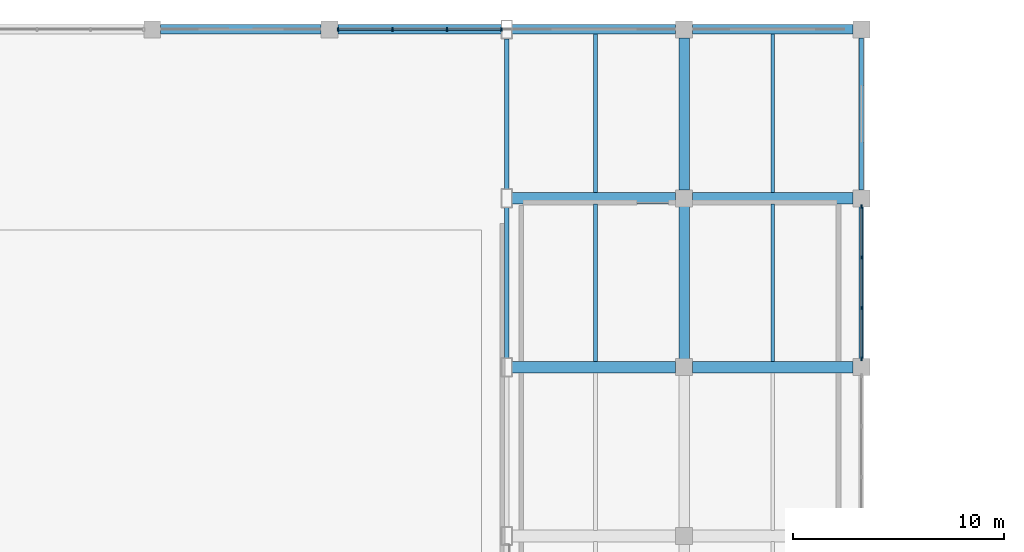
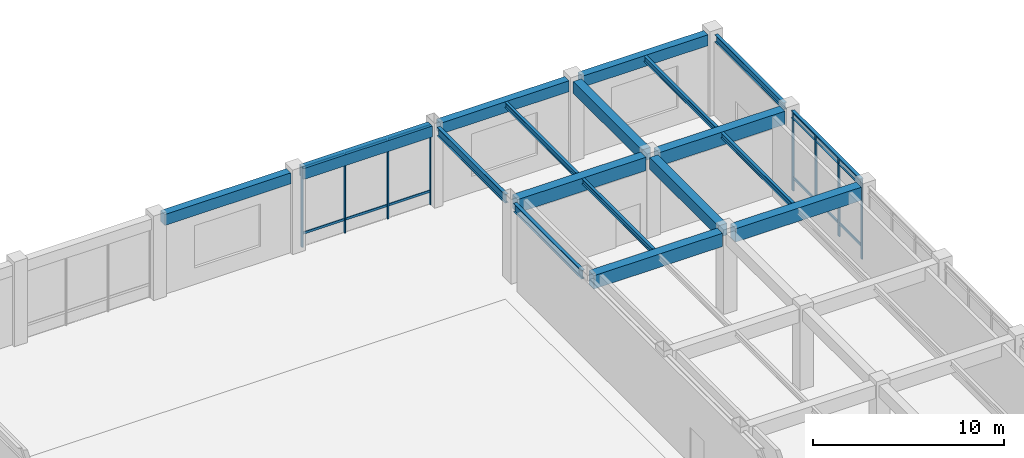
# One storey, part 42 of 79: 20 members, 18 beams, 2 elements without a shape of their own.
"""IFC4 building model written with IfcOpenShell, lengths in metres."""

from ifc_helpers import new_model, si_unit, direction, frame, origin, origin_2d, place, context, subcontext, project, spatial, rectangle, i_section, extrude, material, layer, layer_set, material_profile, profile_set, type_object, element, aggregate, save


model = new_model("IFC4")

# Units and contexts
model_context = context("Model", 3, precision=1e-05, world=origin(), true_north=direction((0.0, 1.0)))
body_context = subcontext(model_context, "Body", "Model", "MODEL_VIEW")
ifc_project = project(units=[si_unit("LENGTHUNIT", "METRE"), si_unit("AREAUNIT", "SQUARE_METRE"), si_unit("VOLUMEUNIT", "CUBIC_METRE"), si_unit("PLANEANGLEUNIT", "RADIAN"), si_unit("MASSUNIT", "GRAM", prefix="KILO")], contexts=[model_context])

# Site, building, storey
site_placement = place(None, origin())
site = spatial("IfcSite", under=ifc_project, at=site_placement, CompositionType="ELEMENT")
building_placement = place(site_placement, origin())
building = spatial("IfcBuilding", under=site, at=building_placement, Name="Naruveol Harbour Congress Hotel", CompositionType="ELEMENT")
storey_placement = place(building_placement, frame((0.0, 0.0, 6.0)))
storey = spatial("IfcBuildingStorey", under=building, at=storey_placement, Name="L01", CompositionType="ELEMENT", Elevation=6.0)

# Beams
ifc_material_1 = material(Name="Concrete C40/50", Category="concrete")
ifc_material_profile_1 = material_profile(ifc_material_1, rectangle(XDim=0.5, YDim=0.75, at=origin_2d()), Name="RCB-500x750")
ifc_profile_set_1 = profile_set([ifc_material_profile_1], Name="Concrete C40/50")
beam_type_1 = type_object("IfcBeamType", Name="RC FLOOR GIRDER 500X750", PredefinedType="BEAM", material=ifc_profile_set_1)
for number, where, z_axis, x_axis, name in (
    (1, (117.60009765625, 96.39599609375, 4.7451171875), (0.0, 1.0, 0.0), (-1.0, 0.0, 0.0), "Transverse girder L02 CB3"),
    (2, (117.60009765625, 104.39599609375, 4.7451171875), (0.0, 1.0, 0.0), (-1.0, 0.0, 0.0), "Transverse girder L02 CB3"),
):
    element("IfcBeam", number, at=place(storey_placement, frame(where, z_axis=z_axis, x_axis=x_axis)), inside=storey, type_object=beam_type_1, Name=name, PredefinedType="BEAM", context=body_context, shape_type="SweptSolid", body=[
        extrude(rectangle(XDim=0.5, YDim=0.75, at=origin_2d()), origin(), (0.0, 0.0, 1.0), 7.2080078125),
    ])
ifc_material_2 = material(Name="Concrete C40/50", Category="concrete")
ifc_material_profile_2 = material_profile(ifc_material_2, rectangle(XDim=0.550048828125, YDim=0.85009765625, at=origin_2d()), Name="RCB-550x850")
ifc_profile_set_2 = profile_set([ifc_material_profile_2], Name="Concrete C40/50")
beam_type_2 = type_object("IfcBeamType", Name="RC PRIMARY GIRDER 550X850", PredefinedType="BEAM", material=ifc_profile_set_2)
beam_1_placement = place(storey_placement, frame((109.446044921875, 96.0, 4.695068359375), z_axis=(1.0, 0.0, 0.0), x_axis=(0.0, 1.0, 0.0)))
element("IfcBeam", 3, at=beam_1_placement, inside=storey, type_object=beam_type_2, Name="Floor girder L02 CB2", PredefinedType="BEAM", context=body_context, shape_type="SweptSolid", body=[
    extrude(rectangle(XDim=0.550048828125, YDim=0.85009765625, at=origin_2d()), origin(), (0.0, 0.0, 1.0), 7.758056640625),
])
beam_2_placement = place(storey_placement, frame((117.99609375, 96.0, 4.695068359375), z_axis=(1.0, 0.0, 0.0), x_axis=(0.0, 1.0, 0.0)))
element("IfcBeam", 4, at=beam_2_placement, inside=storey, type_object=beam_type_2, Name="Floor girder L02 CB2", PredefinedType="BEAM", context=body_context, shape_type="SweptSolid", body=[
    extrude(rectangle(XDim=0.550048828125, YDim=0.85009765625, at=origin_2d()), origin(), (0.0, 0.0, 1.0), 7.60791015625),
])
beam_3_placement = place(storey_placement, frame((109.446044921875, 104.0, 4.695068359375), z_axis=(1.0, 0.0, 0.0), x_axis=(0.0, 1.0, 0.0)))
element("IfcBeam", 5, at=beam_3_placement, inside=storey, type_object=beam_type_2, Name="Floor girder L02 CB2", PredefinedType="BEAM", context=body_context, shape_type="SweptSolid", body=[
    extrude(rectangle(XDim=0.550048828125, YDim=0.85009765625, at=origin_2d()), origin(), (0.0, 0.0, 1.0), 7.758056640625),
])
beam_4_placement = place(storey_placement, frame((117.99609375, 104.0, 4.695068359375), z_axis=(1.0, 0.0, 0.0), x_axis=(0.0, 1.0, 0.0)))
element("IfcBeam", 6, at=beam_4_placement, inside=storey, type_object=beam_type_2, Name="Floor girder L02 CB2", PredefinedType="BEAM", context=body_context, shape_type="SweptSolid", body=[
    extrude(rectangle(XDim=0.550048828125, YDim=0.85009765625, at=origin_2d()), origin(), (0.0, 0.0, 1.0), 7.60791015625),
])
ifc_material_3 = material(Name="Concrete C40/50", Category="concrete")
ifc_material_profile_3 = material_profile(ifc_material_3, rectangle(XDim=0.449951171875, YDim=0.699951171875, at=origin_2d()), Name="RCB-450x700")
ifc_profile_set_3 = profile_set([ifc_material_profile_3], Name="Concrete C40/50")
beam_type_3 = type_object("IfcBeamType", Name="RC SPANDREL BEAM 450X700", PredefinedType="SPANDREL", material=ifc_profile_set_3)
beam_5_placement = place(storey_placement, frame((92.7958984375, 112.0, 4.77001953125), z_axis=(1.0, 0.0, 0.0), x_axis=(0.0, 1.0, 0.0)))
element("IfcBeam", 7, at=beam_5_placement, inside=storey, type_object=beam_type_3, Name="Floor girder L02 SPB1", PredefinedType="SPANDREL", context=body_context, shape_type="SweptSolid", body=[
    extrude(rectangle(XDim=0.449951171875, YDim=0.699951171875, at=origin_2d()), origin(), (0.0, 0.0, 1.0), 7.608154296875),
])
for number, where, z_axis, x_axis, name in (
    (8, (101.196044921875, 112.0, 4.77001953125), (1.0, 0.0, 0.0), (0.0, 1.0, 0.0), "Floor girder L02 SPB1"),
    (9, (109.446044921875, 112.0, 4.77001953125), (1.0, 0.0, 0.0), (0.0, 1.0, 0.0), "Floor girder L02 SPB1"),
):
    element("IfcBeam", number, at=place(storey_placement, frame(where, z_axis=z_axis, x_axis=x_axis)), inside=storey, type_object=beam_type_3, Name=name, PredefinedType="SPANDREL", context=body_context, shape_type="SweptSolid", body=[
        extrude(rectangle(XDim=0.449951171875, YDim=0.699951171875, at=origin_2d()), origin(), (0.0, 0.0, 1.0), 7.758056640625),
    ])
beam_6_placement = place(storey_placement, frame((117.99609375, 112.0, 4.77001953125), z_axis=(1.0, 0.0, 0.0), x_axis=(0.0, 1.0, 0.0)))
element("IfcBeam", 10, at=beam_6_placement, inside=storey, type_object=beam_type_3, Name="Floor girder L02 SPB1", PredefinedType="SPANDREL", context=body_context, shape_type="SweptSolid", body=[
    extrude(rectangle(XDim=0.449951171875, YDim=0.699951171875, at=origin_2d()), origin(), (0.0, 0.0, 1.0), 7.60791015625),
])
ifc_material_4 = material(Name="Steel SN490", Category="steel")
ifc_material_profile_4 = material_profile(ifc_material_4, i_section(OverallWidth=0.199951171875, OverallDepth=0.550048828125, WebThickness=0.010986328125, FlangeThickness=0.01708984375, at=origin_2d()), Name="H-550x200x11x17")
ifc_profile_set_4 = profile_set([ifc_material_profile_4], Name="Steel SN490")
beam_type_4 = type_object("IfcBeamType", Name="STEEL HALL GALLERY BEAM H550", PredefinedType="BEAM", material=ifc_profile_set_4)
for number, where, z_axis, x_axis, name in (
    (11, (109.199951171875, 96.446044921875, 4.844970703125), (0.0, 1.0, 0.0), (-1.0, 0.0, 0.0), "Transverse girder L02 SB4"),
    (12, (109.199951171875, 104.446044921875, 4.844970703125), (0.0, 1.0, 0.0), (-1.0, 0.0, 0.0), "Transverse girder L02 SB4"),
):
    element("IfcBeam", number, at=place(storey_placement, frame(where, z_axis=z_axis, x_axis=x_axis)), inside=storey, type_object=beam_type_4, Name=name, PredefinedType="BEAM", context=body_context, shape_type="SweptSolid", body=[
        extrude(i_section(OverallWidth=0.199951171875, OverallDepth=0.550048828125, WebThickness=0.010986328125, FlangeThickness=0.01708984375, at=origin_2d()), origin(), (0.0, 0.0, 1.0), 7.10791015625),
    ])
ifc_material_5 = material(Name="Steel SN490", Category="steel")
ifc_material_profile_5 = material_profile(ifc_material_5, i_section(OverallWidth=0.175048828125, OverallDepth=0.35009765625, WebThickness=0.007080078125, FlangeThickness=0.010986328125, at=origin_2d()), Name="H-350x175x7x11")
ifc_profile_set_5 = profile_set([ifc_material_profile_5], Name="Steel SN490")
beam_type_5 = type_object("IfcBeamType", Name="STEEL SECONDARY JOIST H350", PredefinedType="JOIST", material=ifc_profile_set_5)
for number, where, z_axis, x_axis, name in (
    (13, (113.39990234375, 96.27099609375, 4.945068359375), (0.0, 1.0, 0.0), (-1.0, 0.0, 0.0), "Secondary floor joist L02 SJ2"),
    (14, (121.800048828125, 96.27099609375, 4.945068359375), (0.0, 1.0, 0.0), (-1.0, 0.0, 0.0), "Secondary floor joist L02 SJ2"),
):
    element("IfcBeam", number, at=place(storey_placement, frame(where, z_axis=z_axis, x_axis=x_axis)), inside=storey, type_object=beam_type_5, Name=name, PredefinedType="JOIST", context=body_context, shape_type="SweptSolid", body=[
        extrude(i_section(OverallWidth=0.175048828125, OverallDepth=0.35009765625, WebThickness=0.007080078125, FlangeThickness=0.010986328125, at=origin_2d()), origin(), (0.0, 0.0, 1.0), 7.4580078125),
    ])
for number, where, z_axis, x_axis, name in (
    (15, (113.39990234375, 104.27099609375, 4.945068359375), (0.0, 1.0, 0.0), (-1.0, 0.0, 0.0), "Secondary floor joist L02 SJ2"),
    (16, (121.800048828125, 104.27099609375, 4.945068359375), (0.0, 1.0, 0.0), (-1.0, 0.0, 0.0), "Secondary floor joist L02 SJ2"),
):
    element("IfcBeam", number, at=place(storey_placement, frame(where, z_axis=z_axis, x_axis=x_axis)), inside=storey, type_object=beam_type_5, Name=name, PredefinedType="JOIST", context=body_context, shape_type="SweptSolid", body=[
        extrude(i_section(OverallWidth=0.175048828125, OverallDepth=0.35009765625, WebThickness=0.007080078125, FlangeThickness=0.010986328125, at=origin_2d()), origin(), (0.0, 0.0, 1.0), 7.508056640625),
    ])
ifc_material_6 = material(Name="Steel SN490", Category="steel")
ifc_material_profile_6 = material_profile(ifc_material_6, i_section(OverallWidth=0.199951171875, OverallDepth=0.449951171875, WebThickness=0.009033203125, FlangeThickness=0.013916015625, at=origin_2d()), Name="H-450x200x9x14")
ifc_profile_set_6 = profile_set([ifc_material_profile_6], Name="Steel SN490")
beam_type_6 = type_object("IfcBeamType", Name="STEEL SPANDREL EDGE BEAM H450", PredefinedType="SPANDREL", material=ifc_profile_set_6)
for number, where, z_axis, x_axis, name in (
    (17, (126.0, 96.39599609375, 4.89501953125), (0.0, 1.0, 0.0), (-1.0, 0.0, 0.0), "Transverse girder L02 SPB2"),
    (18, (126.0, 104.39599609375, 4.89501953125), (0.0, 1.0, 0.0), (-1.0, 0.0, 0.0), "Transverse girder L02 SPB2"),
):
    element("IfcBeam", number, at=place(storey_placement, frame(where, z_axis=z_axis, x_axis=x_axis)), inside=storey, type_object=beam_type_6, Name=name, PredefinedType="SPANDREL", context=body_context, shape_type="SweptSolid", body=[
        extrude(i_section(OverallWidth=0.199951171875, OverallDepth=0.449951171875, WebThickness=0.009033203125, FlangeThickness=0.013916015625, at=origin_2d()), origin(), (0.0, 0.0, 1.0), 7.2080078125),
    ])

# Curtain wall, members
ifc_material_7 = material(Name="Low-E Curtain Wall System", Category="glass")
ifc_layer_1 = layer(ifc_material_7, 0.179931640625)
ifc_layer_set_1 = layer_set([ifc_layer_1], Name="Low-E Curtain Wall System")
curtain_wall_type_1 = type_object("IfcCurtainWallType", Name="UNITISED CURTAIN WALL CW-V2N-19 7750X5100", PredefinedType="USERDEFINED", material=ifc_layer_set_1)
curtain_wall_1_placement = place(storey_placement, origin())
curtain_wall_1 = element("IfcCurtainWall", 19, at=curtain_wall_1_placement, inside=storey, type_object=curtain_wall_type_1, Name="Unitised curtain wall CW-V2N-19 L01", ObjectType="UNITISED GLAZING", PredefinedType="USERDEFINED")
ifc_material_8 = material(Name="Anodised Aluminium 6063-T6", Category="aluminium")
ifc_material_profile_7 = material_profile(ifc_material_8, rectangle(XDim=0.074951171875, YDim=0.179931640625, at=origin_2d()), Name="ALU-75x180")
ifc_profile_set_7 = profile_set([ifc_material_profile_7], Name="Anodised Aluminium 6063-T6")
member_type_1 = type_object("IfcMemberType", Name="THERMAL ALUMINIUM MULLION 75X180", PredefinedType="MULLION", material=ifc_profile_set_7)
member_1_placement = place(storey_placement, frame((101.199951171875, 112.0, 0.0), z_axis=(0.0, 0.0, 1.0), x_axis=(1.0, 0.0, 0.0)))
member_1 = element("IfcMember", 20, at=member_1_placement, type_object=member_type_1, Name="Curtain wall mullion CW-L01-0040-M0", PredefinedType="MULLION", context=body_context, shape_type="SweptSolid", body=[
    extrude(rectangle(XDim=0.074951171875, YDim=0.179931640625, at=origin_2d()), origin(), (0.0, 0.0, 1.0), 5.10009765625),
])
member_2_placement = place(storey_placement, frame((103.783203125, 112.0, 0.0), z_axis=(0.0, 0.0, 1.0), x_axis=(1.0, 0.0, 0.0)))
member_2 = element("IfcMember", 21, at=member_2_placement, type_object=member_type_1, Name="Curtain wall mullion CW-L01-0040-M1", PredefinedType="MULLION", context=body_context, shape_type="SweptSolid", body=[
    extrude(rectangle(XDim=0.074951171875, YDim=0.179931640625, at=origin_2d()), origin(), (0.0, 0.0, 1.0), 5.10009765625),
])
member_3_placement = place(storey_placement, frame((106.36669921875, 112.0, 0.0), z_axis=(0.0, 0.0, 1.0), x_axis=(1.0, 0.0, 0.0)))
member_3 = element("IfcMember", 22, at=member_3_placement, type_object=member_type_1, Name="Curtain wall mullion CW-L01-0040-M2", PredefinedType="MULLION", context=body_context, shape_type="SweptSolid", body=[
    extrude(rectangle(XDim=0.074951171875, YDim=0.179931640625, at=origin_2d()), origin(), (0.0, 0.0, 1.0), 5.10009765625),
])
member_4_placement = place(storey_placement, frame((108.949951171875, 112.0, 0.0), z_axis=(0.0, 0.0, 1.0), x_axis=(1.0, 0.0, 0.0)))
member_4 = element("IfcMember", 23, at=member_4_placement, type_object=member_type_1, Name="Curtain wall mullion CW-L01-0040-M3", PredefinedType="MULLION", context=body_context, shape_type="SweptSolid", body=[
    extrude(rectangle(XDim=0.074951171875, YDim=0.179931640625, at=origin_2d()), origin(), (0.0, 0.0, 1.0), 5.10009765625),
])

ifc_material_9 = material(Name="Low-E Curtain Wall System", Category="glass")
ifc_layer_2 = layer(ifc_material_9, 0.179931640625)
ifc_layer_set_2 = layer_set([ifc_layer_2], Name="Low-E Curtain Wall System")
curtain_wall_type_2 = type_object("IfcCurtainWallType", Name="UNITISED CURTAIN WALL CW-V2E-20 7200X5100", PredefinedType="USERDEFINED", material=ifc_layer_set_2)
curtain_wall_2_placement = place(storey_placement, origin())
curtain_wall_2 = element("IfcCurtainWall", 24, at=curtain_wall_2_placement, inside=storey, type_object=curtain_wall_type_2, Name="Unitised curtain wall CW-V2E-20 L01", ObjectType="UNITISED GLAZING", PredefinedType="USERDEFINED")
member_5_placement = place(storey_placement, frame((126.0, 103.60009765625, 0.0), z_axis=(0.0, 0.0, 1.0), x_axis=(1.0, 0.0, 0.0)))
member_5 = element("IfcMember", 25, at=member_5_placement, type_object=member_type_1, Name="Curtain wall mullion CW-L01-0043-M0", PredefinedType="MULLION", context=body_context, shape_type="SweptSolid", body=[
    extrude(rectangle(XDim=0.074951171875, YDim=0.179931640625, at=origin_2d()), origin(), (0.0, 0.0, 1.0), 5.10009765625),
])
member_6_placement = place(storey_placement, frame((126.0, 101.199951171875, 0.0), z_axis=(0.0, 0.0, 1.0), x_axis=(1.0, 0.0, 0.0)))
member_6 = element("IfcMember", 26, at=member_6_placement, type_object=member_type_1, Name="Curtain wall mullion CW-L01-0043-M1", PredefinedType="MULLION", context=body_context, shape_type="SweptSolid", body=[
    extrude(rectangle(XDim=0.074951171875, YDim=0.179931640625, at=origin_2d()), origin(), (0.0, 0.0, 1.0), 5.10009765625),
])
member_7_placement = place(storey_placement, frame((126.0, 98.800048828125, 0.0), z_axis=(0.0, 0.0, 1.0), x_axis=(1.0, 0.0, 0.0)))
member_7 = element("IfcMember", 27, at=member_7_placement, type_object=member_type_1, Name="Curtain wall mullion CW-L01-0043-M2", PredefinedType="MULLION", context=body_context, shape_type="SweptSolid", body=[
    extrude(rectangle(XDim=0.074951171875, YDim=0.179931640625, at=origin_2d()), origin(), (0.0, 0.0, 1.0), 5.10009765625),
])
member_8_placement = place(storey_placement, frame((126.0, 96.39990234375, 0.0), z_axis=(0.0, 0.0, 1.0), x_axis=(1.0, 0.0, 0.0)))
member_8 = element("IfcMember", 28, at=member_8_placement, type_object=member_type_1, Name="Curtain wall mullion CW-L01-0043-M3", PredefinedType="MULLION", context=body_context, shape_type="SweptSolid", body=[
    extrude(rectangle(XDim=0.074951171875, YDim=0.179931640625, at=origin_2d()), origin(), (0.0, 0.0, 1.0), 5.10009765625),
])

# Member
ifc_material_10 = material(Name="Anodised Aluminium 6063-T6", Category="aluminium")
ifc_material_profile_8 = material_profile(ifc_material_10, rectangle(XDim=0.074951171875, YDim=0.14990234375, at=origin_2d()), Name="ALU-75x150")
ifc_profile_set_8 = profile_set([ifc_material_profile_8], Name="Anodised Aluminium 6063-T6")
member_type_2 = type_object("IfcMemberType", Name="THERMAL ALUMINIUM TRANSOM 75X150", PredefinedType="USERDEFINED", material=ifc_profile_set_8)
member_9_placement = place(storey_placement, frame((101.239990234375, 112.0, 0.85009765625), z_axis=(1.0, 0.0, 0.0), x_axis=(0.0, 1.0, 0.0)))
member_9 = element("IfcMember", 29, at=member_9_placement, type_object=member_type_2, Name="Curtain wall transom CW-L01-0040-T0.1", ObjectType="TRANSOM", PredefinedType="USERDEFINED", context=body_context, shape_type="SweptSolid", body=[
    extrude(rectangle(XDim=0.074951171875, YDim=0.14990234375, at=origin_2d()), origin(), (0.0, 0.0, 1.0), 2.50341796875),
])

member_10_placement = place(storey_placement, frame((101.239990234375, 112.0, 5.02001953125), z_axis=(1.0, 0.0, 0.0), x_axis=(0.0, 1.0, 0.0)))
member_10 = element("IfcMember", 30, at=member_10_placement, type_object=member_type_2, Name="Curtain wall transom CW-L01-0040-T0.2", ObjectType="TRANSOM", PredefinedType="USERDEFINED", context=body_context, shape_type="SweptSolid", body=[
    extrude(rectangle(XDim=0.074951171875, YDim=0.14990234375, at=origin_2d()), origin(), (0.0, 0.0, 1.0), 2.50341796875),
])

member_11_placement = place(storey_placement, frame((103.8232421875, 112.0, 0.85009765625), z_axis=(1.0, 0.0, 0.0), x_axis=(0.0, 1.0, 0.0)))
member_11 = element("IfcMember", 31, at=member_11_placement, type_object=member_type_2, Name="Curtain wall transom CW-L01-0040-T1.1", ObjectType="TRANSOM", PredefinedType="USERDEFINED", context=body_context, shape_type="SweptSolid", body=[
    extrude(rectangle(XDim=0.074951171875, YDim=0.14990234375, at=origin_2d()), origin(), (0.0, 0.0, 1.0), 2.50341796875),
])

member_12_placement = place(storey_placement, frame((103.8232421875, 112.0, 5.02001953125), z_axis=(1.0, 0.0, 0.0), x_axis=(0.0, 1.0, 0.0)))
member_12 = element("IfcMember", 32, at=member_12_placement, type_object=member_type_2, Name="Curtain wall transom CW-L01-0040-T1.2", ObjectType="TRANSOM", PredefinedType="USERDEFINED", context=body_context, shape_type="SweptSolid", body=[
    extrude(rectangle(XDim=0.074951171875, YDim=0.14990234375, at=origin_2d()), origin(), (0.0, 0.0, 1.0), 2.50341796875),
])

member_13_placement = place(storey_placement, frame((106.40673828125, 112.0, 0.85009765625), z_axis=(1.0, 0.0, 0.0), x_axis=(0.0, 1.0, 0.0)))
member_13 = element("IfcMember", 33, at=member_13_placement, type_object=member_type_2, Name="Curtain wall transom CW-L01-0040-T2.1", ObjectType="TRANSOM", PredefinedType="USERDEFINED", context=body_context, shape_type="SweptSolid", body=[
    extrude(rectangle(XDim=0.074951171875, YDim=0.14990234375, at=origin_2d()), origin(), (0.0, 0.0, 1.0), 2.503173828125),
])

member_14_placement = place(storey_placement, frame((106.40673828125, 112.0, 5.02001953125), z_axis=(1.0, 0.0, 0.0), x_axis=(0.0, 1.0, 0.0)))
member_14 = element("IfcMember", 34, at=member_14_placement, type_object=member_type_2, Name="Curtain wall transom CW-L01-0040-T2.2", ObjectType="TRANSOM", PredefinedType="USERDEFINED", context=body_context, shape_type="SweptSolid", body=[
    extrude(rectangle(XDim=0.074951171875, YDim=0.14990234375, at=origin_2d()), origin(), (0.0, 0.0, 1.0), 2.503173828125),
])

aggregate(curtain_wall_1, [member_1, member_2, member_3, member_4, member_9, member_10, member_11, member_12, member_13, member_14])

member_15_placement = place(storey_placement, frame((126.0, 103.56005859375, 0.85009765625), z_axis=(0.0, -1.0, 0.0), x_axis=(1.0, 0.0, 0.0)))
member_15 = element("IfcMember", 35, at=member_15_placement, type_object=member_type_2, Name="Curtain wall transom CW-L01-0043-T0.1", ObjectType="TRANSOM", PredefinedType="USERDEFINED", context=body_context, shape_type="SweptSolid", body=[
    extrude(rectangle(XDim=0.074951171875, YDim=0.14990234375, at=origin_2d()), origin(), (0.0, 0.0, 1.0), 2.320068359375),
])

member_16_placement = place(storey_placement, frame((126.0, 103.56005859375, 5.02001953125), z_axis=(0.0, -1.0, 0.0), x_axis=(1.0, 0.0, 0.0)))
member_16 = element("IfcMember", 36, at=member_16_placement, type_object=member_type_2, Name="Curtain wall transom CW-L01-0043-T0.2", ObjectType="TRANSOM", PredefinedType="USERDEFINED", context=body_context, shape_type="SweptSolid", body=[
    extrude(rectangle(XDim=0.074951171875, YDim=0.14990234375, at=origin_2d()), origin(), (0.0, 0.0, 1.0), 2.320068359375),
])

member_17_placement = place(storey_placement, frame((126.0, 101.159912109375, 0.85009765625), z_axis=(0.0, -1.0, 0.0), x_axis=(1.0, 0.0, 0.0)))
member_17 = element("IfcMember", 37, at=member_17_placement, type_object=member_type_2, Name="Curtain wall transom CW-L01-0043-T1.1", ObjectType="TRANSOM", PredefinedType="USERDEFINED", context=body_context, shape_type="SweptSolid", body=[
    extrude(rectangle(XDim=0.074951171875, YDim=0.14990234375, at=origin_2d()), origin(), (0.0, 0.0, 1.0), 2.31982421875),
])

member_18_placement = place(storey_placement, frame((126.0, 101.159912109375, 5.02001953125), z_axis=(0.0, -1.0, 0.0), x_axis=(1.0, 0.0, 0.0)))
member_18 = element("IfcMember", 38, at=member_18_placement, type_object=member_type_2, Name="Curtain wall transom CW-L01-0043-T1.2", ObjectType="TRANSOM", PredefinedType="USERDEFINED", context=body_context, shape_type="SweptSolid", body=[
    extrude(rectangle(XDim=0.074951171875, YDim=0.14990234375, at=origin_2d()), origin(), (0.0, 0.0, 1.0), 2.31982421875),
])

member_19_placement = place(storey_placement, frame((126.0, 98.760009765625, 0.85009765625), z_axis=(0.0, -1.0, 0.0), x_axis=(1.0, 0.0, 0.0)))
member_19 = element("IfcMember", 39, at=member_19_placement, type_object=member_type_2, Name="Curtain wall transom CW-L01-0043-T2.1", ObjectType="TRANSOM", PredefinedType="USERDEFINED", context=body_context, shape_type="SweptSolid", body=[
    extrude(rectangle(XDim=0.074951171875, YDim=0.14990234375, at=origin_2d()), origin(), (0.0, 0.0, 1.0), 2.320068359375),
])

member_20_placement = place(storey_placement, frame((126.0, 98.760009765625, 5.02001953125), z_axis=(0.0, -1.0, 0.0), x_axis=(1.0, 0.0, 0.0)))
member_20 = element("IfcMember", 40, at=member_20_placement, type_object=member_type_2, Name="Curtain wall transom CW-L01-0043-T2.2", ObjectType="TRANSOM", PredefinedType="USERDEFINED", context=body_context, shape_type="SweptSolid", body=[
    extrude(rectangle(XDim=0.074951171875, YDim=0.14990234375, at=origin_2d()), origin(), (0.0, 0.0, 1.0), 2.320068359375),
])

aggregate(curtain_wall_2, [member_5, member_6, member_7, member_8, member_15, member_16, member_17, member_18, member_19, member_20])

save(model, "model.ifc")
